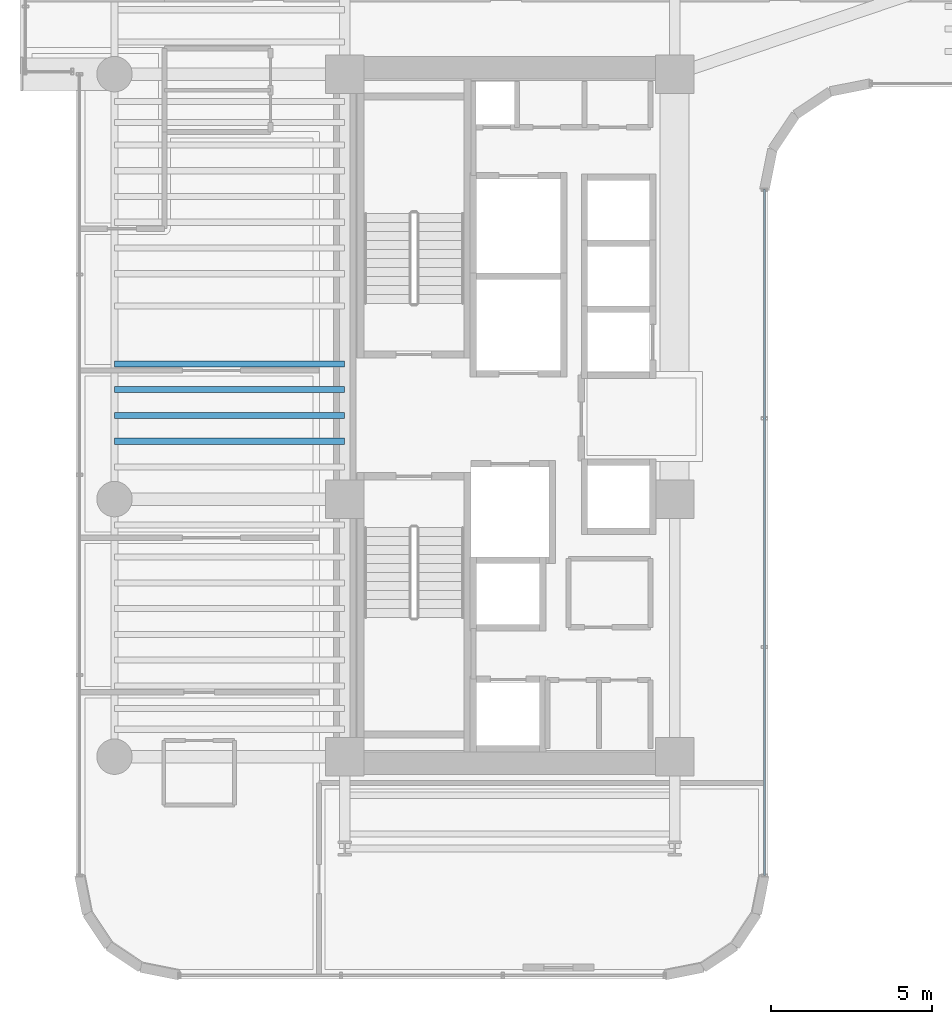
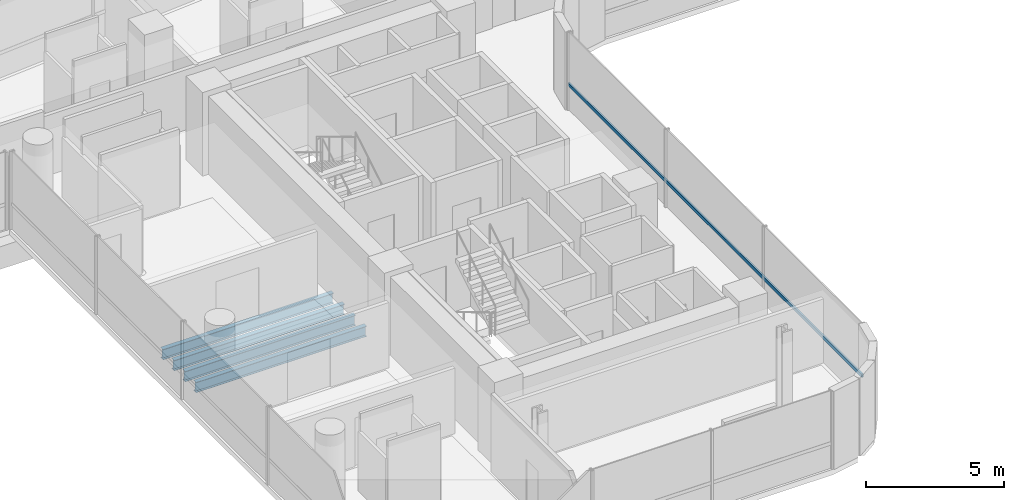
# One storey, part 7 of 35: 4 beams, 1 member, 1 element without a shape of its own.
"""IFC4 building model written with IfcOpenShell, lengths in metres."""

from ifc_helpers import new_model, si_unit, direction, frame, origin, origin_2d, place, context, subcontext, project, spatial, hollow_rectangle, i_section, extrude, source, transform, mapped, material, material_profile, profile_set, type_object, element, aggregate, save


model = new_model("IFC4")

# Units and contexts
model_context = context("Model", 3, precision=1e-05, world=origin(), true_north=direction((0.0, 1.0)))
body_context = subcontext(model_context, "Body", "Model", "MODEL_VIEW")
ifc_project = project(units=[si_unit("LENGTHUNIT", "METRE"), si_unit("AREAUNIT", "SQUARE_METRE"), si_unit("VOLUMEUNIT", "CUBIC_METRE"), si_unit("PLANEANGLEUNIT", "RADIAN"), si_unit("MASSUNIT", "GRAM", prefix="KILO")], contexts=[model_context])

# Site, building, storey
site_placement = place(None, origin())
site = spatial("IfcSite", under=ifc_project, at=site_placement, CompositionType="ELEMENT")
building_placement = place(site_placement, origin())
building = spatial("IfcBuilding", under=site, at=building_placement, Name="Valdorenza Pilgrim Sanctuary Tower", CompositionType="ELEMENT")
storey_placement = place(building_placement, frame((0.0, 0.0, 116.800048828125)))
storey = spatial("IfcBuildingStorey", under=building, at=storey_placement, Name="L29", CompositionType="ELEMENT", Elevation=116.800048828125)

# Beams
ifc_material_1 = material(Name="Steel ASTM A992 Grade 50", Category="steel")
ifc_material_profile_1 = material_profile(ifc_material_1, i_section(OverallWidth=0.19091796875, OverallDepth=0.45703125, WebThickness=0.009033203125, FlangeThickness=0.014404296875, at=origin_2d()), Name="W18X50")
ifc_profile_set_1 = profile_set([ifc_material_profile_1], Name="Steel ASTM A992 Grade 50")
beam_type = type_object("IfcBeamType", Name="STR-BM-JST-W18B", PredefinedType="JOIST", material=ifc_profile_set_1)
shared_shape_1 = source(origin(), body_context, "Body", "SweptSolid", [
    extrude(i_section(OverallWidth=0.19091796875, OverallDepth=0.45703125, WebThickness=0.009033203125, FlangeThickness=0.014404296875, at=origin_2d()), origin(), (0.0, 0.0, 1.0), 7.150146484375),
])
for number, where, z_axis, x_axis, name in (
    (1, (-29.800048828125, -0.800048828125, -0.468505859375), (1.0, 0.0, 0.0), (0.0, 1.0, 0.0), "L29 Composite Floor Joist JST-WA-11"),
    (2, (-29.800048828125, 0.0, -0.468505859375), (1.0, 0.0, 0.0), (0.0, 1.0, 0.0), "L29 Composite Floor Joist JST-WA-12"),
    (3, (-29.800048828125, 0.800048828125, -0.468505859375), (1.0, 0.0, 0.0), (0.0, 1.0, 0.0), "L29 Composite Floor Joist JST-WA-13"),
    (4, (-29.800048828125, 1.60009765625, -0.468505859375), (1.0, 0.0, 0.0), (0.0, 1.0, 0.0), "L29 Composite Floor Joist JST-WA-14"),
):
    element("IfcBeam", number, at=place(storey_placement, frame(where, z_axis=z_axis, x_axis=x_axis)), inside=storey, type_object=beam_type, Name=name, PredefinedType="JOIST", context=body_context, shape_type="MappedRepresentation", body=[
        mapped(shared_shape_1, transform((0.0, 0.0, 0.0), x_axis=(1.0, 0.0, 0.0), y_axis=(0.0, 1.0, 0.0), z_axis=(0.0, 0.0, 1.0), scale=1.0)),
    ])

# Curtain wall, member
ifc_material_2 = material(Name="Curtain-wall IGU glazing", Category="glass")
curtain_wall_type = type_object("IfcCurtainWallType", Name="CW-SYS-02", PredefinedType="NOTDEFINED", material=ifc_material_2)
curtain_wall_placement = place(storey_placement, origin())
curtain_wall = element("IfcCurtainWall", 5, at=curtain_wall_placement, inside=storey, type_object=curtain_wall_type, Name="L29 Curtain Wall CW-L29-1-41", PredefinedType="NOTDEFINED")
ifc_material_3 = material(Name="Anodised aluminium AW-6060", Category="aluminium")
ifc_material_profile_2 = material_profile(ifc_material_3, hollow_rectangle(XDim=0.074951171875, YDim=0.14990234375, WallThickness=0.00390625, at=origin_2d()), Name="ALU-T 150x75x4")
ifc_profile_set_2 = profile_set([ifc_material_profile_2], Name="Anodised aluminium AW-6060")
member_type = type_object("IfcMemberType", Name="CW-TRN-02", PredefinedType="USERDEFINED", material=ifc_profile_set_2)
shared_shape_2 = source(origin(), body_context, "Body", "SweptSolid", [
    extrude(hollow_rectangle(XDim=0.074951171875, YDim=0.14990234375, WallThickness=0.00390625, at=origin_2d()), origin(), (0.0, 0.0, 1.0), 21.300048828125),
])
member_placement = place(storey_placement, frame((-9.610107421875, 7.0107421875, 1.119873046875), z_axis=(0.0, -1.0, 0.0), x_axis=(1.0, 0.0, 0.0)))
member = element("IfcMember", 6, at=member_placement, type_object=member_type, Name="CW-L29-1-41 Transom 1", ObjectType="TRANSOM", PredefinedType="USERDEFINED", context=body_context, shape_type="MappedRepresentation", body=[
    mapped(shared_shape_2, transform((0.0, 0.0, 0.0), x_axis=(1.0, 0.0, 0.0), y_axis=(0.0, 1.0, 0.0), z_axis=(0.0, 0.0, 1.0), scale=1.0)),
])
aggregate(curtain_wall, [member])

save(model, "model.ifc")
